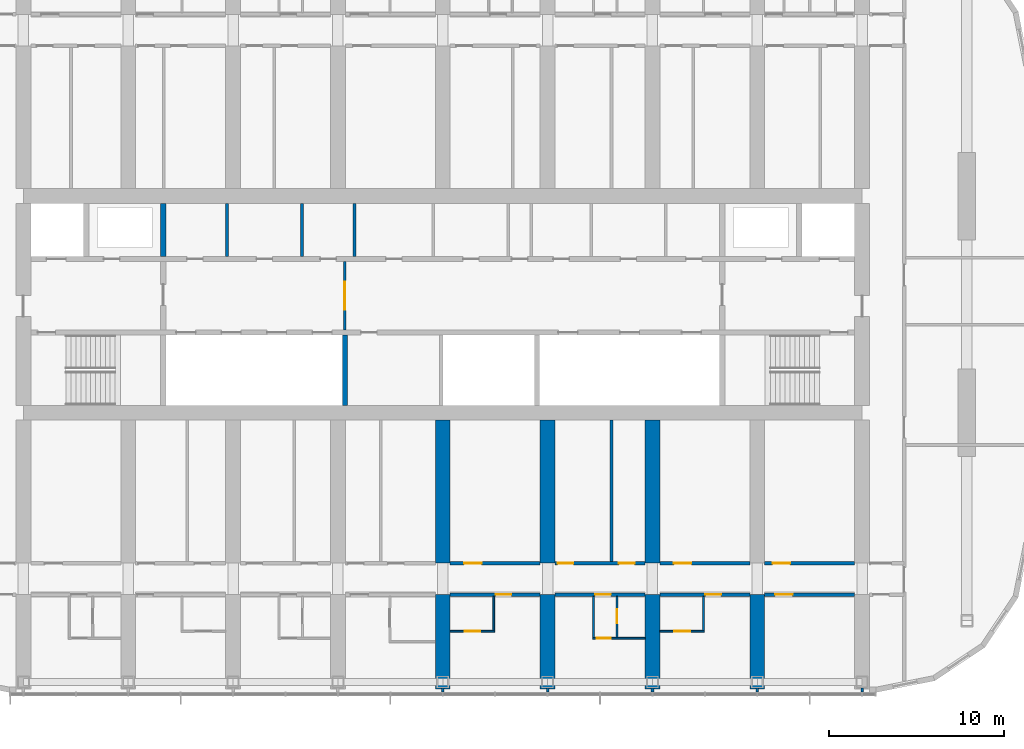
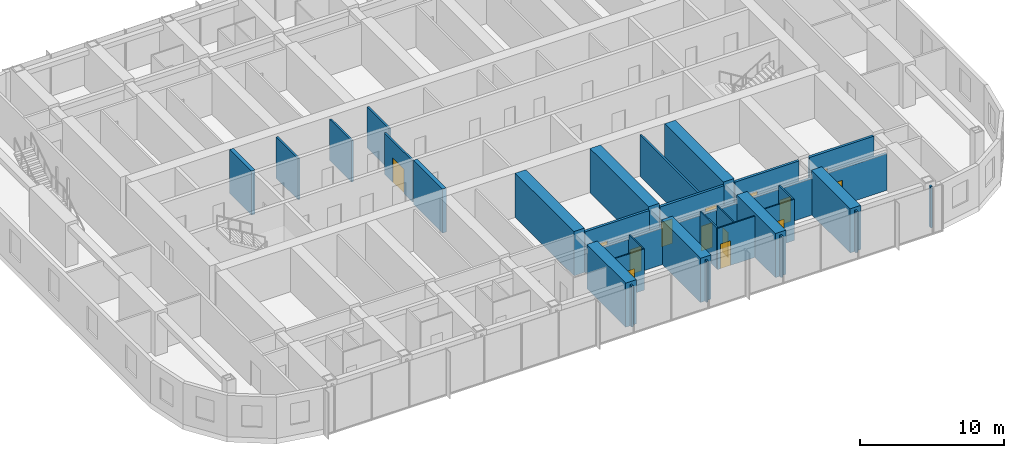
# One storey, part 16 of 29: 34 walls, 14 doors, 14 openings.
"""IFC4 building model written with IfcOpenShell, lengths in metres."""

from ifc_helpers import new_model, si_unit, direction, frame, frame_2d, origin, place, context, subcontext, project, spatial, polyline, rectangle, outline, extrude, material, layer, layer_set, type_object, element, fill, save


model = new_model("IFC4")

# Units and contexts
model_context = context("Model", 3, precision=1e-05, world=origin(), true_north=direction((0.0, 1.0)))
body_context = subcontext(model_context, "Body", "Model", "MODEL_VIEW")
ifc_project = project(units=[si_unit("LENGTHUNIT", "METRE"), si_unit("AREAUNIT", "SQUARE_METRE"), si_unit("VOLUMEUNIT", "CUBIC_METRE"), si_unit("PLANEANGLEUNIT", "RADIAN"), si_unit("MASSUNIT", "GRAM", prefix="KILO")], contexts=[model_context])

# Site, building, storey
site_placement = place(None, origin())
site = spatial("IfcSite", under=ifc_project, at=site_placement, CompositionType="ELEMENT")
building_placement = place(site_placement, origin())
building = spatial("IfcBuilding", under=site, at=building_placement, Name="Orbita Commons", CompositionType="ELEMENT")
storey_placement = place(building_placement, frame((0.0, 0.0, 163.60009765625)))
storey = spatial("IfcBuildingStorey", under=building, at=storey_placement, Name="L40", CompositionType="ELEMENT", Elevation=163.60009765625)

# Walls
ifc_material_1 = material(Name="Concrete C50/60", Category="concrete")
ifc_layer_1 = layer(ifc_material_1, 0.300048828125)
ifc_layer_set_1 = layer_set([ifc_layer_1], Name="Concrete C50/60")
wall_type_1 = type_object("IfcWallType", Name="Core inner wall 300 C50/60", PredefinedType="SHEAR", material=ifc_layer_set_1)
wall_1_placement = place(storey_placement, frame((26.0, 34.75, 0.0), z_axis=(0.0, 0.0, 1.0), x_axis=(0.0, 1.0, 0.0)))
element("IfcWall", 1, at=wall_1_placement, inside=storey, type_object=wall_type_1, Name="Riser wall west L40", PredefinedType="SHEAR", context=body_context, shape_type="SweptSolid", body=[
    extrude(rectangle(XDim=3.02490234375, YDim=0.300048828125, at=frame_2d((1.512451171875, 0.0))), origin(), (0.0, 0.0, 1.0), 3.75),
])
wall_2_placement = place(storey_placement, frame((36.39990234375, 26.22509765625, 0.0), z_axis=(0.0, 0.0, 1.0), x_axis=(0.0, 1.0, 0.0)))
element("IfcWall", 2, at=wall_2_placement, inside=storey, type_object=wall_type_1, Name="Hoistway division wall L40", PredefinedType="SHEAR", context=body_context, shape_type="SweptSolid", body=[
    extrude(rectangle(XDim=4.02490234375, YDim=0.300048828125, at=frame_2d((2.012451171875, 0.0))), origin(), (0.0, 0.0, 1.0), 3.75),
])

# Wall, opening, door
ifc_material_2 = material(Name="Concrete blockwork", Category="masonry")
ifc_layer_2 = layer(ifc_material_2, 0.14990234375)
ifc_layer_set_2 = layer_set([ifc_layer_2], Name="Concrete blockwork")
wall_type_2 = type_object("IfcWallType", Name="Core partition 150 blockwork", PredefinedType="SOLIDWALL", material=ifc_layer_set_2)
wall_3_placement = place(storey_placement, frame((36.39990234375, 30.550048828125, 0.0), z_axis=(0.0, 0.0, 1.0), x_axis=(0.0, 1.0, 0.0)))
wall_3 = element("IfcWall", 3, at=wall_3_placement, inside=storey, type_object=wall_type_2, Name="Core partition 150 blockwork L40", PredefinedType="SOLIDWALL", context=body_context, shape_type="SweptSolid", body=[
    extrude(rectangle(XDim=3.89990234375, YDim=0.14990234375, at=frame_2d((1.949951171875, 0.0))), origin(), (0.0, 0.0, 1.0), 3.5),
])
opening_1_placement = place(wall_3_placement, frame((1.14990234375, 0.0, 0.0)))
opening_1 = element("IfcOpeningElement", 4, at=opening_1_placement, cuts=wall_3, Name="Opening D10", PredefinedType="OPENING", context=body_context, shape_type="SweptSolid", body=[
    extrude(rectangle(XDim=1.60009765625, YDim=2.10009765625, at=frame_2d((0.800048828125, 1.050048828125))), frame((0.0, 0.0849609375, 0.0), z_axis=(0.0, -1.0, 0.0), x_axis=(1.0, 0.0, 0.0)), (0.0, 0.0, 1.0), 0.169921875),
])
ifc_material_3 = material(Name="Steel-faced fire door leaf", Category="steel")
door_type_1 = type_object("IfcDoorType", Name="Double corridor door 20 min 1600x2100", OperationType="DOUBLE_DOOR_SINGLE_SWING", PredefinedType="DOOR", material=ifc_material_3)
door_1_placement = place(opening_1_placement, origin())
door_1 = element("IfcDoor", 5, at=door_1_placement, inside=storey, type_object=door_type_1, Name="Lift lobby screen doors", OperationType="DOUBLE_DOOR_SINGLE_SWING", OverallHeight=2.10009765625, OverallWidth=1.60009765625, PredefinedType="DOOR", context=body_context, shape_type="SweptSolid", body=[
    extrude(rectangle(XDim=1.60009765625, YDim=2.10009765625, at=frame_2d((0.800048828125, 1.050048828125))), frame((0.0, 0.02490234375, 0.0), z_axis=(0.0, -1.0, 0.0), x_axis=(1.0, 0.0, 0.0)), (0.0, 0.0, 1.0), 0.050048828125),
])
fill(opening_1, door_1)

# Walls
for number, where, z_axis, x_axis, name in (
    (6, (29.65087890625, 34.75, 0.0), (0.0, 0.0, 1.0), (0.0, 1.0, 0.0), "Core partition 150 blockwork L40"),
    (7, (33.9462890625, 34.75, 0.0), (0.0, 0.0, 1.0), (0.0, 1.0, 0.0), "Core partition 150 blockwork L40"),
    (8, (36.9462890625, 34.75, 0.0), (0.0, 0.0, 1.0), (0.0, 1.0, 0.0), "Core partition 150 blockwork L40"),
):
    element("IfcWall", number, at=place(storey_placement, frame(where, z_axis=z_axis, x_axis=x_axis)), inside=storey, type_object=wall_type_2, Name=name, PredefinedType="SOLIDWALL", context=body_context, shape_type="SweptSolid", body=[
        extrude(rectangle(XDim=3.02490234375, YDim=0.14990234375, at=frame_2d((1.512451171875, 0.0))), origin(), (0.0, 0.0, 1.0), 3.5),
    ])

# Wall, opening, door
ifc_material_4 = material(Name="Concrete blockwork", Category="masonry")
ifc_layer_3 = layer(ifc_material_4, 0.199951171875)
ifc_layer_set_3 = layer_set([ifc_layer_3], Name="Concrete blockwork")
wall_type_3 = type_object("IfcWallType", Name="Corridor wall 200 blockwork", PredefinedType="SOLIDWALL", material=ifc_layer_set_3)
wall_4_placement = place(storey_placement, frame((42.425048828125, 15.39990234375, 0.0), z_axis=(0.0, 0.0, 1.0), x_axis=(1.0, 0.0, 0.0)))
wall_4 = element("IfcWall", 9, at=wall_4_placement, inside=storey, type_object=wall_type_3, Name="Corridor wall 200 blockwork L40", PredefinedType="SOLIDWALL", context=body_context, shape_type="SweptSolid", body=[
    extrude(outline(polyline([(0.0, 0.0), (5.14990234375, 0.0), (5.14990234375, 3.099853515625), (0.0, 3.099853515625), (0.0, 0.0)])), frame((0.0, 0.10009765625, 0.0), z_axis=(0.0, -1.0, 0.0), x_axis=(1.0, 0.0, 0.0)), (0.0, 0.0, 1.0), 0.199951171875),
])
opening_2_placement = place(wall_4_placement, frame((2.60009765625, 0.0, 0.0)))
opening_2 = element("IfcOpeningElement", 10, at=opening_2_placement, cuts=wall_4, Name="Opening D11", PredefinedType="OPENING", context=body_context, shape_type="SweptSolid", body=[
    extrude(rectangle(XDim=0.89990234375, YDim=2.10009765625, at=frame_2d((0.449951171875, 1.050048828125))), frame((0.0, 0.10986328125, 0.0), z_axis=(0.0, -1.0, 0.0), x_axis=(1.0, 0.0, 0.0)), (0.0, 0.0, 1.0), 0.219970703125),
])
ifc_material_5 = material(Name="Steel-faced fire door leaf", Category="steel")
door_type_2 = type_object("IfcDoorType", Name="Corridor door 20 min 900x2100", OperationType="SINGLE_SWING_LEFT", PredefinedType="DOOR", material=ifc_material_5)
door_2_placement = place(opening_2_placement, origin())
door_2 = element("IfcDoor", 11, at=door_2_placement, inside=storey, type_object=door_type_2, Name="Twin room L40-S08 door", OperationType="SINGLE_SWING_LEFT", OverallHeight=2.10009765625, OverallWidth=0.89990234375, PredefinedType="DOOR", context=body_context, shape_type="SweptSolid", body=[
    extrude(rectangle(XDim=0.89990234375, YDim=2.10009765625, at=frame_2d((0.449951171875, 1.050048828125))), frame((0.0, 0.02490234375, 0.0), z_axis=(0.0, -1.0, 0.0), x_axis=(1.0, 0.0, 0.0)), (0.0, 0.0, 1.0), 0.050048828125),
])
fill(opening_2, door_2)

wall_5_placement = place(storey_placement, frame((48.425048828125, 15.39990234375, 0.0), z_axis=(0.0, 0.0, 1.0), x_axis=(1.0, 0.0, 0.0)))
wall_5 = element("IfcWall", 12, at=wall_5_placement, inside=storey, type_object=wall_type_3, Name="Corridor wall 200 blockwork L40", PredefinedType="SOLIDWALL", context=body_context, shape_type="SweptSolid", body=[
    extrude(outline(polyline([(0.0, 0.0), (5.14990234375, 0.0), (5.14990234375, 3.099853515625), (0.0, 3.099853515625), (0.0, 0.0)])), frame((0.0, 0.10009765625, 0.0), z_axis=(0.0, -1.0, 0.0), x_axis=(1.0, 0.0, 0.0)), (0.0, 0.0, 1.0), 0.199951171875),
])
opening_3_placement = place(wall_5_placement, frame((2.300048828125, 0.0, 0.0)))
opening_3 = element("IfcOpeningElement", 13, at=opening_3_placement, cuts=wall_5, Name="Opening D11", PredefinedType="OPENING", context=body_context, shape_type="SweptSolid", body=[
    extrude(rectangle(XDim=0.89990234375, YDim=2.10009765625, at=frame_2d((0.449951171875, 1.050048828125))), frame((0.0, 0.10986328125, 0.0), z_axis=(0.0, -1.0, 0.0), x_axis=(1.0, 0.0, 0.0)), (0.0, 0.0, 1.0), 0.219970703125),
])
door_3_placement = place(opening_3_placement, origin())
door_3 = element("IfcDoor", 14, at=door_3_placement, inside=storey, type_object=door_type_2, Name="Studio flat L40-S10 entrance door", OperationType="SINGLE_SWING_LEFT", OverallHeight=2.10009765625, OverallWidth=0.89990234375, PredefinedType="DOOR", context=body_context, shape_type="SweptSolid", body=[
    extrude(rectangle(XDim=0.89990234375, YDim=2.10009765625, at=frame_2d((0.449951171875, 1.050048828125))), frame((0.0, 0.02490234375, 0.0), z_axis=(0.0, -1.0, 0.0), x_axis=(1.0, 0.0, 0.0)), (0.0, 0.0, 1.0), 0.050048828125),
])
fill(opening_3, door_3)

wall_6_placement = place(storey_placement, frame((54.425048828125, 15.39990234375, 0.0), z_axis=(0.0, 0.0, 1.0), x_axis=(1.0, 0.0, 0.0)))
wall_6 = element("IfcWall", 15, at=wall_6_placement, inside=storey, type_object=wall_type_3, Name="Corridor wall 200 blockwork L40", PredefinedType="SOLIDWALL", context=body_context, shape_type="SweptSolid", body=[
    extrude(outline(polyline([(0.0, 0.0), (5.14990234375, 0.0), (5.14990234375, 3.099853515625), (0.0, 3.099853515625), (0.0, 0.0)])), frame((0.0, 0.10009765625, 0.0), z_axis=(0.0, -1.0, 0.0), x_axis=(1.0, 0.0, 0.0)), (0.0, 0.0, 1.0), 0.199951171875),
])
opening_4_placement = place(wall_6_placement, frame((2.60009765625, 0.0, 0.0)))
opening_4 = element("IfcOpeningElement", 16, at=opening_4_placement, cuts=wall_6, Name="Opening D11", PredefinedType="OPENING", context=body_context, shape_type="SweptSolid", body=[
    extrude(rectangle(XDim=0.89990234375, YDim=2.10009765625, at=frame_2d((0.449951171875, 1.050048828125))), frame((0.0, 0.10986328125, 0.0), z_axis=(0.0, -1.0, 0.0), x_axis=(1.0, 0.0, 0.0)), (0.0, 0.0, 1.0), 0.219970703125),
])
door_4_placement = place(opening_4_placement, origin())
door_4 = element("IfcDoor", 17, at=door_4_placement, inside=storey, type_object=door_type_2, Name="Twin room L40-S12 door", OperationType="SINGLE_SWING_LEFT", OverallHeight=2.10009765625, OverallWidth=0.89990234375, PredefinedType="DOOR", context=body_context, shape_type="SweptSolid", body=[
    extrude(rectangle(XDim=0.89990234375, YDim=2.10009765625, at=frame_2d((0.449951171875, 1.050048828125))), frame((0.0, 0.02490234375, 0.0), z_axis=(0.0, -1.0, 0.0), x_axis=(1.0, 0.0, 0.0)), (0.0, 0.0, 1.0), 0.050048828125),
])
fill(opening_4, door_4)

wall_7_placement = place(storey_placement, frame((60.425048828125, 15.39990234375, 0.0), z_axis=(0.0, 0.0, 1.0), x_axis=(1.0, 0.0, 0.0)))
wall_7 = element("IfcWall", 18, at=wall_7_placement, inside=storey, type_object=wall_type_3, Name="Corridor wall 200 blockwork L40", PredefinedType="SOLIDWALL", context=body_context, shape_type="SweptSolid", body=[
    extrude(outline(polyline([(0.0, 0.0), (5.14990234375, 0.0), (5.14990234375, 3.099853515625), (0.0, 3.099853515625), (0.0, 0.0)])), frame((0.0, 0.10009765625, 0.0), z_axis=(0.0, -1.0, 0.0), x_axis=(1.0, 0.0, 0.0)), (0.0, 0.0, 1.0), 0.199951171875),
])
opening_5_placement = place(wall_7_placement, frame((0.60009765625, 0.0, 0.0)))
opening_5 = element("IfcOpeningElement", 19, at=opening_5_placement, cuts=wall_7, Name="Opening D06", PredefinedType="OPENING", context=body_context, shape_type="SweptSolid", body=[
    extrude(rectangle(XDim=1.0, YDim=2.10009765625, at=frame_2d((0.5, 1.050048828125))), frame((0.0, 0.10986328125, 0.0), z_axis=(0.0, -1.0, 0.0), x_axis=(1.0, 0.0, 0.0)), (0.0, 0.0, 1.0), 0.219970703125),
])
ifc_material_6 = material(Name="Steel-faced fire door leaf", Category="steel")
door_type_3 = type_object("IfcDoorType", Name="Corridor door 20 min 1000x2100", OperationType="SINGLE_SWING_LEFT", PredefinedType="DOOR", material=ifc_material_6)
door_5_placement = place(opening_5_placement, origin())
door_5 = element("IfcDoor", 20, at=door_5_placement, inside=storey, type_object=door_type_3, Name="Cluster kitchen-diner L40-S14 door", OperationType="SINGLE_SWING_LEFT", OverallHeight=2.10009765625, OverallWidth=1.0, PredefinedType="DOOR", context=body_context, shape_type="SweptSolid", body=[
    extrude(rectangle(XDim=1.0, YDim=2.10009765625, at=frame_2d((0.5, 1.050048828125))), frame((0.0, 0.02490234375, 0.0), z_axis=(0.0, -1.0, 0.0), x_axis=(1.0, 0.0, 0.0)), (0.0, 0.0, 1.0), 0.050048828125),
])
fill(opening_5, door_5)

ifc_material_7 = material(Name="Hollow concrete block 200", Category="concrete")
ifc_layer_4 = layer(ifc_material_7, 0.199951171875)
ifc_layer_set_4 = layer_set([ifc_layer_4], Name="Hollow concrete block 200")
wall_type_4 = type_object("IfcWallType", Name="Corridor wall 200 hollow concrete block", PredefinedType="SOLIDWALL", material=ifc_layer_set_4)
wall_8_placement = place(storey_placement, frame((42.425048828125, 17.199951171875, 0.0), z_axis=(0.0, 0.0, 1.0), x_axis=(1.0, 0.0, 0.0)))
wall_8 = element("IfcWall", 21, at=wall_8_placement, inside=storey, type_object=wall_type_4, Name="Corridor wall 200 hollow concrete block L40", PredefinedType="SOLIDWALL", context=body_context, shape_type="SweptSolid", body=[
    extrude(rectangle(XDim=5.14990234375, YDim=0.199951171875, at=frame_2d((2.574951171875, 0.0))), origin(), (0.0, 0.0, 1.0), 3.5),
])
opening_6_placement = place(wall_8_placement, frame((0.800048828125, 0.0, 0.0)))
opening_6 = element("IfcOpeningElement", 22, at=opening_6_placement, cuts=wall_8, Name="Opening D06", PredefinedType="OPENING", context=body_context, shape_type="SweptSolid", body=[
    extrude(rectangle(XDim=1.0, YDim=2.10009765625, at=frame_2d((0.5, 1.050048828125))), frame((0.0, 0.10986328125, 0.0), z_axis=(0.0, -1.0, 0.0), x_axis=(1.0, 0.0, 0.0)), (0.0, 0.0, 1.0), 0.219970703125),
])
door_6_placement = place(opening_6_placement, origin())
door_6 = element("IfcDoor", 23, at=door_6_placement, inside=storey, type_object=door_type_3, Name="Ventilation plant room south L40-BDS42 door", OperationType="SINGLE_SWING_LEFT", OverallHeight=2.10009765625, OverallWidth=1.0, PredefinedType="DOOR", context=body_context, shape_type="SweptSolid", body=[
    extrude(rectangle(XDim=1.0, YDim=2.10009765625, at=frame_2d((0.5, 1.050048828125))), frame((0.0, 0.02490234375, 0.0), z_axis=(0.0, -1.0, 0.0), x_axis=(1.0, 0.0, 0.0)), (0.0, 0.0, 1.0), 0.050048828125),
])
fill(opening_6, door_6)

# Wall, openings, doors
wall_9_placement = place(storey_placement, frame((48.425048828125, 17.199951171875, 0.0), z_axis=(0.0, 0.0, 1.0), x_axis=(1.0, 0.0, 0.0)))
wall_9 = element("IfcWall", 24, at=wall_9_placement, inside=storey, type_object=wall_type_4, Name="Corridor wall 200 hollow concrete block L40", PredefinedType="SOLIDWALL", context=body_context, shape_type="SweptSolid", body=[
    extrude(rectangle(XDim=5.14990234375, YDim=0.199951171875, at=frame_2d((2.574951171875, 0.0))), origin(), (0.0, 0.0, 1.0), 3.5),
])
opening_7_placement = place(wall_9_placement, frame((0.14990234375, 0.0, 0.0)))
opening_7 = element("IfcOpeningElement", 25, at=opening_7_placement, cuts=wall_9, Name="Opening D11", PredefinedType="OPENING", context=body_context, shape_type="SweptSolid", body=[
    extrude(rectangle(XDim=0.89990234375, YDim=2.10009765625, at=frame_2d((0.449951171875, 1.050048828125))), frame((0.0, 0.10986328125, 0.0), z_axis=(0.0, -1.0, 0.0), x_axis=(1.0, 0.0, 0.0)), (0.0, 0.0, 1.0), 0.219970703125),
])
opening_8_placement = place(wall_9_placement, frame((3.655029296875, 0.0, 0.0)))
opening_8 = element("IfcOpeningElement", 26, at=opening_8_placement, cuts=wall_9, Name="Opening D11", PredefinedType="OPENING", context=body_context, shape_type="SweptSolid", body=[
    extrude(rectangle(XDim=0.89990234375, YDim=2.10009765625, at=frame_2d((0.449951171875, 1.050048828125))), frame((0.0, 0.10986328125, 0.0), z_axis=(0.0, -1.0, 0.0), x_axis=(1.0, 0.0, 0.0)), (0.0, 0.0, 1.0), 0.219970703125),
])
door_7_placement = place(opening_7_placement, origin())
door_7 = element("IfcDoor", 27, at=door_7_placement, inside=storey, type_object=door_type_2, Name="Electrical and data room L40-BDS48 door", OperationType="SINGLE_SWING_LEFT", OverallHeight=2.10009765625, OverallWidth=0.89990234375, PredefinedType="DOOR", context=body_context, shape_type="SweptSolid", body=[
    extrude(rectangle(XDim=0.89990234375, YDim=2.10009765625, at=frame_2d((0.449951171875, 1.050048828125))), frame((0.0, 0.02490234375, 0.0), z_axis=(0.0, -1.0, 0.0), x_axis=(1.0, 0.0, 0.0)), (0.0, 0.0, 1.0), 0.050048828125),
])
fill(opening_7, door_7)
door_8_placement = place(opening_8_placement, origin())
door_8 = element("IfcDoor", 28, at=door_8_placement, inside=storey, type_object=door_type_2, Name="Water heater cupboard L40-BDS48n door", OperationType="SINGLE_SWING_LEFT", OverallHeight=2.10009765625, OverallWidth=0.89990234375, PredefinedType="DOOR", context=body_context, shape_type="SweptSolid", body=[
    extrude(rectangle(XDim=0.89990234375, YDim=2.10009765625, at=frame_2d((0.449951171875, 1.050048828125))), frame((0.0, 0.02490234375, 0.0), z_axis=(0.0, -1.0, 0.0), x_axis=(1.0, 0.0, 0.0)), (0.0, 0.0, 1.0), 0.050048828125),
])
fill(opening_8, door_8)

# Wall, opening, door
wall_10_placement = place(storey_placement, frame((54.425048828125, 17.199951171875, 0.0), z_axis=(0.0, 0.0, 1.0), x_axis=(1.0, 0.0, 0.0)))
wall_10 = element("IfcWall", 29, at=wall_10_placement, inside=storey, type_object=wall_type_4, Name="Corridor wall 200 hollow concrete block L40", PredefinedType="SOLIDWALL", context=body_context, shape_type="SweptSolid", body=[
    extrude(rectangle(XDim=5.14990234375, YDim=0.199951171875, at=frame_2d((2.574951171875, 0.0))), origin(), (0.0, 0.0, 1.0), 3.5),
])
opening_9_placement = place(wall_10_placement, frame((0.800048828125, 0.0, 0.0)))
opening_9 = element("IfcOpeningElement", 30, at=opening_9_placement, cuts=wall_10, Name="Opening D06", PredefinedType="OPENING", context=body_context, shape_type="SweptSolid", body=[
    extrude(rectangle(XDim=1.0, YDim=2.10009765625, at=frame_2d((0.5, 1.050048828125))), frame((0.0, 0.10986328125, 0.0), z_axis=(0.0, -1.0, 0.0), x_axis=(1.0, 0.0, 0.0)), (0.0, 0.0, 1.0), 0.219970703125),
])
door_9_placement = place(opening_9_placement, origin())
door_9 = element("IfcDoor", 31, at=door_9_placement, inside=storey, type_object=door_type_3, Name="Refuse and recycling room L40-BDS54 door", OperationType="SINGLE_SWING_LEFT", OverallHeight=2.10009765625, OverallWidth=1.0, PredefinedType="DOOR", context=body_context, shape_type="SweptSolid", body=[
    extrude(rectangle(XDim=1.0, YDim=2.10009765625, at=frame_2d((0.5, 1.050048828125))), frame((0.0, 0.02490234375, 0.0), z_axis=(0.0, -1.0, 0.0), x_axis=(1.0, 0.0, 0.0)), (0.0, 0.0, 1.0), 0.050048828125),
])
fill(opening_9, door_9)

wall_11_placement = place(storey_placement, frame((60.425048828125, 17.199951171875, 0.0), z_axis=(0.0, 0.0, 1.0), x_axis=(1.0, 0.0, 0.0)))
wall_11 = element("IfcWall", 32, at=wall_11_placement, inside=storey, type_object=wall_type_4, Name="Corridor wall 200 hollow concrete block L40", PredefinedType="SOLIDWALL", context=body_context, shape_type="SweptSolid", body=[
    extrude(rectangle(XDim=5.14990234375, YDim=0.199951171875, at=frame_2d((2.574951171875, 0.0))), origin(), (0.0, 0.0, 1.0), 3.5),
])
opening_10_placement = place(wall_11_placement, frame((0.449951171875, 0.0, 0.0)))
opening_10 = element("IfcOpeningElement", 33, at=opening_10_placement, cuts=wall_11, Name="Opening D06", PredefinedType="OPENING", context=body_context, shape_type="SweptSolid", body=[
    extrude(rectangle(XDim=1.0, YDim=2.10009765625, at=frame_2d((0.5, 1.050048828125))), frame((0.0, 0.10986328125, 0.0), z_axis=(0.0, -1.0, 0.0), x_axis=(1.0, 0.0, 0.0)), (0.0, 0.0, 1.0), 0.219970703125),
])
door_10_placement = place(opening_10_placement, origin())
door_10 = element("IfcDoor", 34, at=door_10_placement, inside=storey, type_object=door_type_3, Name="Cleaners store L40-BDS60 door", OperationType="SINGLE_SWING_LEFT", OverallHeight=2.10009765625, OverallWidth=1.0, PredefinedType="DOOR", context=body_context, shape_type="SweptSolid", body=[
    extrude(rectangle(XDim=1.0, YDim=2.10009765625, at=frame_2d((0.5, 1.050048828125))), frame((0.0, 0.02490234375, 0.0), z_axis=(0.0, -1.0, 0.0), x_axis=(1.0, 0.0, 0.0)), (0.0, 0.0, 1.0), 0.050048828125),
])
fill(opening_10, door_10)

# Walls
ifc_material_8 = material(Name="Concrete C50/60", Category="concrete")
ifc_layer_5 = layer(ifc_material_8, 0.85009765625)
ifc_layer_set_5 = layer_set([ifc_layer_5], Name="Concrete C50/60")
wall_type_5 = type_object("IfcWallType", Name="Cross wall 850 C50/60", PredefinedType="SHEAR", material=ifc_layer_set_5)
wall_12_placement = place(storey_placement, frame((42.0, 10.0, 0.0), z_axis=(0.0, 0.0, 1.0), x_axis=(0.0, 1.0, 0.0)))
element("IfcWall", 35, at=wall_12_placement, inside=storey, type_object=wall_type_5, Name="Cross wall 8 south outer L40", PredefinedType="SHEAR", context=body_context, shape_type="SweptSolid", body=[
    extrude(rectangle(XDim=5.39990234375, YDim=0.85009765625, at=frame_2d((2.699951171875, 0.0))), origin(), (0.0, 0.0, 1.0), 3.75),
])
wall_13_placement = place(storey_placement, frame((42.0, 17.199951171875, 0.0), z_axis=(0.0, 0.0, 1.0), x_axis=(0.0, 1.0, 0.0)))
element("IfcWall", 36, at=wall_13_placement, inside=storey, type_object=wall_type_5, Name="Cross wall 8 south inner L40", PredefinedType="SHEAR", context=body_context, shape_type="SweptSolid", body=[
    extrude(rectangle(XDim=8.175048828125, YDim=0.85009765625, at=frame_2d((4.08740234375, 0.0))), origin(), (0.0, 0.0, 1.0), 3.75),
])
wall_14_placement = place(storey_placement, frame((48.0, 10.0, 0.0), z_axis=(0.0, 0.0, 1.0), x_axis=(0.0, 1.0, 0.0)))
element("IfcWall", 37, at=wall_14_placement, inside=storey, type_object=wall_type_5, Name="Cross wall 9 south outer L40", PredefinedType="SHEAR", context=body_context, shape_type="SweptSolid", body=[
    extrude(rectangle(XDim=5.39990234375, YDim=0.85009765625, at=frame_2d((2.699951171875, 0.0))), origin(), (0.0, 0.0, 1.0), 3.75),
])
wall_15_placement = place(storey_placement, frame((48.0, 17.199951171875, 0.0), z_axis=(0.0, 0.0, 1.0), x_axis=(0.0, 1.0, 0.0)))
element("IfcWall", 38, at=wall_15_placement, inside=storey, type_object=wall_type_5, Name="Cross wall 9 south inner L40", PredefinedType="SHEAR", context=body_context, shape_type="SweptSolid", body=[
    extrude(rectangle(XDim=8.175048828125, YDim=0.85009765625, at=frame_2d((4.08740234375, 0.0))), origin(), (0.0, 0.0, 1.0), 3.75),
])
wall_16_placement = place(storey_placement, frame((54.0, 10.0, 0.0), z_axis=(0.0, 0.0, 1.0), x_axis=(0.0, 1.0, 0.0)))
element("IfcWall", 39, at=wall_16_placement, inside=storey, type_object=wall_type_5, Name="Cross wall 10 south outer L40", PredefinedType="SHEAR", context=body_context, shape_type="SweptSolid", body=[
    extrude(rectangle(XDim=5.39990234375, YDim=0.85009765625, at=frame_2d((2.699951171875, 0.0))), origin(), (0.0, 0.0, 1.0), 3.75),
])
wall_17_placement = place(storey_placement, frame((54.0, 17.199951171875, 0.0), z_axis=(0.0, 0.0, 1.0), x_axis=(0.0, 1.0, 0.0)))
element("IfcWall", 40, at=wall_17_placement, inside=storey, type_object=wall_type_5, Name="Cross wall 10 south inner L40", PredefinedType="SHEAR", context=body_context, shape_type="SweptSolid", body=[
    extrude(rectangle(XDim=8.175048828125, YDim=0.85009765625, at=frame_2d((4.08740234375, 0.0))), origin(), (0.0, 0.0, 1.0), 3.75),
])
wall_18_placement = place(storey_placement, frame((60.0, 10.0, 0.0), z_axis=(0.0, 0.0, 1.0), x_axis=(0.0, 1.0, 0.0)))
element("IfcWall", 41, at=wall_18_placement, inside=storey, type_object=wall_type_5, Name="Cross wall 11 south outer L40", PredefinedType="SHEAR", context=body_context, shape_type="SweptSolid", body=[
    extrude(rectangle(XDim=5.39990234375, YDim=0.85009765625, at=frame_2d((2.699951171875, 0.0))), origin(), (0.0, 0.0, 1.0), 3.75),
])

# Wall, opening, door
ifc_material_9 = material(Name="Moisture-resistant plasterboard on steel studs", Category="steel")
ifc_layer_6 = layer(ifc_material_9, 0.10009765625)
ifc_layer_set_6 = layer_set([ifc_layer_6], Name="Moisture-resistant plasterboard on steel studs")
wall_type_6 = type_object("IfcWallType", Name="En-suite partition 100", PredefinedType="PARTITIONING", material=ifc_layer_set_6)
wall_19_placement = place(storey_placement, frame((44.97509765625, 13.300048828125, 0.0), z_axis=(0.0, 0.0, 1.0), x_axis=(-1.0, 0.0, 0.0)))
wall_19 = element("IfcWall", 42, at=wall_19_placement, inside=storey, type_object=wall_type_6, Name="En-suite partition 100 L40", PredefinedType="PARTITIONING", context=body_context, shape_type="SweptSolid", body=[
    extrude(rectangle(XDim=2.550048828125, YDim=0.10009765625, at=frame_2d((1.27490234375, 0.0))), origin(), (0.0, 0.0, 1.0), 3.5),
])
opening_11_placement = place(wall_19_placement, frame((0.824951171875, 0.0, 0.0)))
opening_11 = element("IfcOpeningElement", 43, at=opening_11_placement, cuts=wall_19, Name="Opening D09", PredefinedType="OPENING", context=body_context, shape_type="SweptSolid", body=[
    extrude(rectangle(XDim=0.89990234375, YDim=2.10009765625, at=frame_2d((0.449951171875, 1.050048828125))), frame((0.0, 0.06005859375, 0.0), z_axis=(0.0, -1.0, 0.0), x_axis=(1.0, 0.0, 0.0)), (0.0, 0.0, 1.0), 0.1201171875),
])
ifc_material_10 = material(Name="Laminated timber door leaf", Category="wood")
door_type_4 = type_object("IfcDoorType", Name="En-suite door 900x2100", OperationType="SINGLE_SWING_RIGHT", PredefinedType="DOOR", material=ifc_material_10)
door_11_placement = place(opening_11_placement, origin())
door_11 = element("IfcDoor", 44, at=door_11_placement, inside=storey, type_object=door_type_4, Name="En-suite L40-S08 door", OperationType="SINGLE_SWING_RIGHT", OverallHeight=2.10009765625, OverallWidth=0.89990234375, PredefinedType="DOOR", context=body_context, shape_type="SweptSolid", body=[
    extrude(rectangle(XDim=0.89990234375, YDim=2.10009765625, at=frame_2d((0.449951171875, 1.050048828125))), frame((0.0, 0.02490234375, 0.0), z_axis=(0.0, -1.0, 0.0), x_axis=(1.0, 0.0, 0.0)), (0.0, 0.0, 1.0), 0.050048828125),
])
fill(opening_11, door_11)

# Wall
wall_20_placement = place(storey_placement, frame((44.925048828125, 13.35009765625, 0.0), z_axis=(0.0, 0.0, 1.0), x_axis=(0.0, 1.0, 0.0)))
element("IfcWall", 45, at=wall_20_placement, inside=storey, type_object=wall_type_6, Name="En-suite partition 100 L40", PredefinedType="PARTITIONING", context=body_context, shape_type="SweptSolid", body=[
    extrude(outline(polyline([(0.0, 0.0), (1.949951171875, 0.0), (1.949951171875, 3.099853515625), (1.902099609375, 3.099853515625), (1.89990234375, 3.5), (0.0, 3.5), (0.0, 0.0)])), frame((0.0, 0.050048828125, 0.0), z_axis=(0.0, -1.0, 0.0), x_axis=(1.0, 0.0, 0.0)), (0.0, 0.0, 1.0), 0.10009765625),
])

# Wall, opening, door
wall_21_placement = place(storey_placement, frame((53.574951171875, 12.89990234375, 0.0), z_axis=(0.0, 0.0, 1.0), x_axis=(-1.0, 0.0, 0.0)))
wall_21 = element("IfcWall", 46, at=wall_21_placement, inside=storey, type_object=wall_type_6, Name="En-suite partition 100 L40", PredefinedType="PARTITIONING", context=body_context, shape_type="SweptSolid", body=[
    extrude(rectangle(XDim=3.0, YDim=0.10009765625, at=frame_2d((1.5, 0.0))), origin(), (0.0, 0.0, 1.0), 3.5),
])
opening_12_placement = place(wall_21_placement, frame((1.949951171875, 0.0, 0.0)))
opening_12 = element("IfcOpeningElement", 47, at=opening_12_placement, cuts=wall_21, Name="Opening D16", PredefinedType="OPENING", context=body_context, shape_type="SweptSolid", body=[
    extrude(rectangle(XDim=0.800048828125, YDim=2.10009765625, at=frame_2d((0.39990234375, 1.050048828125))), frame((0.0, 0.06005859375, 0.0), z_axis=(0.0, -1.0, 0.0), x_axis=(1.0, 0.0, 0.0)), (0.0, 0.0, 1.0), 0.1201171875),
])
ifc_material_11 = material(Name="Laminated timber door leaf", Category="wood")
door_type_5 = type_object("IfcDoorType", Name="En-suite door 800x2100", OperationType="SINGLE_SWING_RIGHT", PredefinedType="DOOR", material=ifc_material_11)
door_12_placement = place(opening_12_placement, origin())
door_12 = element("IfcDoor", 48, at=door_12_placement, inside=storey, type_object=door_type_5, Name="Studio flat L40-S10 door", OperationType="SINGLE_SWING_RIGHT", OverallHeight=2.10009765625, OverallWidth=0.800048828125, PredefinedType="DOOR", context=body_context, shape_type="SweptSolid", body=[
    extrude(rectangle(XDim=0.800048828125, YDim=2.10009765625, at=frame_2d((0.39990234375, 1.050048828125))), frame((0.0, 0.02490234375, 0.0), z_axis=(0.0, -1.0, 0.0), x_axis=(1.0, 0.0, 0.0)), (0.0, 0.0, 1.0), 0.050048828125),
])
fill(opening_12, door_12)

# Wall
wall_22_placement = place(storey_placement, frame((50.625, 12.949951171875, 0.0), z_axis=(0.0, 0.0, 1.0), x_axis=(0.0, 1.0, 0.0)))
element("IfcWall", 49, at=wall_22_placement, inside=storey, type_object=wall_type_6, Name="En-suite partition 100 L40", PredefinedType="PARTITIONING", context=body_context, shape_type="SweptSolid", body=[
    extrude(outline(polyline([(0.0, 0.0), (2.35009765625, 0.0), (2.35009765625, 3.099853515625), (2.302001953125, 3.099853515625), (2.300048828125, 3.5), (0.0, 3.5), (0.0, 0.0)])), frame((0.0, 0.050048828125, 0.0), z_axis=(0.0, -1.0, 0.0), x_axis=(1.0, 0.0, 0.0)), (0.0, 0.0, 1.0), 0.10009765625),
])

# Wall, opening, door
wall_23_placement = place(storey_placement, frame((51.97509765625, 12.949951171875, 0.0), z_axis=(0.0, 0.0, 1.0), x_axis=(0.0, 1.0, 0.0)))
wall_23 = element("IfcWall", 50, at=wall_23_placement, inside=storey, type_object=wall_type_6, Name="En-suite partition 100 L40", PredefinedType="PARTITIONING", context=body_context, shape_type="SweptSolid", body=[
    extrude(outline(polyline([(0.0, 0.0), (2.35009765625, 0.0), (2.35009765625, 3.099853515625), (2.302001953125, 3.099853515625), (2.300048828125, 3.5), (0.0, 3.5), (0.0, 0.0)])), frame((0.0, 0.050048828125, 0.0), z_axis=(0.0, -1.0, 0.0), x_axis=(1.0, 0.0, 0.0)), (0.0, 0.0, 1.0), 0.10009765625),
])
opening_13_placement = place(wall_23_placement, frame((0.800048828125, 0.0, 0.0)))
opening_13 = element("IfcOpeningElement", 51, at=opening_13_placement, cuts=wall_23, Name="Opening D16", PredefinedType="OPENING", context=body_context, shape_type="SweptSolid", body=[
    extrude(rectangle(XDim=0.800048828125, YDim=2.10009765625, at=frame_2d((0.39990234375, 1.050048828125))), frame((0.0, 0.06005859375, 0.0), z_axis=(0.0, -1.0, 0.0), x_axis=(1.0, 0.0, 0.0)), (0.0, 0.0, 1.0), 0.1201171875),
])
door_13_placement = place(opening_13_placement, origin())
door_13 = element("IfcDoor", 52, at=door_13_placement, inside=storey, type_object=door_type_5, Name="Studio flat shower room L40-S10 door", OperationType="SINGLE_SWING_RIGHT", OverallHeight=2.10009765625, OverallWidth=0.800048828125, PredefinedType="DOOR", context=body_context, shape_type="SweptSolid", body=[
    extrude(rectangle(XDim=0.800048828125, YDim=2.10009765625, at=frame_2d((0.39990234375, 1.050048828125))), frame((0.0, 0.02490234375, 0.0), z_axis=(0.0, -1.0, 0.0), x_axis=(1.0, 0.0, 0.0)), (0.0, 0.0, 1.0), 0.050048828125),
])
fill(opening_13, door_13)

wall_24_placement = place(storey_placement, frame((56.97509765625, 13.300048828125, 0.0), z_axis=(0.0, 0.0, 1.0), x_axis=(-1.0, 0.0, 0.0)))
wall_24 = element("IfcWall", 53, at=wall_24_placement, inside=storey, type_object=wall_type_6, Name="En-suite partition 100 L40", PredefinedType="PARTITIONING", context=body_context, shape_type="SweptSolid", body=[
    extrude(rectangle(XDim=2.550048828125, YDim=0.10009765625, at=frame_2d((1.27490234375, 0.0))), origin(), (0.0, 0.0, 1.0), 3.5),
])
opening_14_placement = place(wall_24_placement, frame((0.824951171875, 0.0, 0.0)))
opening_14 = element("IfcOpeningElement", 54, at=opening_14_placement, cuts=wall_24, Name="Opening D09", PredefinedType="OPENING", context=body_context, shape_type="SweptSolid", body=[
    extrude(rectangle(XDim=0.89990234375, YDim=2.10009765625, at=frame_2d((0.449951171875, 1.050048828125))), frame((0.0, 0.06005859375, 0.0), z_axis=(0.0, -1.0, 0.0), x_axis=(1.0, 0.0, 0.0)), (0.0, 0.0, 1.0), 0.1201171875),
])
door_14_placement = place(opening_14_placement, origin())
door_14 = element("IfcDoor", 55, at=door_14_placement, inside=storey, type_object=door_type_4, Name="En-suite L40-S12 door", OperationType="SINGLE_SWING_RIGHT", OverallHeight=2.10009765625, OverallWidth=0.89990234375, PredefinedType="DOOR", context=body_context, shape_type="SweptSolid", body=[
    extrude(rectangle(XDim=0.89990234375, YDim=2.10009765625, at=frame_2d((0.449951171875, 1.050048828125))), frame((0.0, 0.02490234375, 0.0), z_axis=(0.0, -1.0, 0.0), x_axis=(1.0, 0.0, 0.0)), (0.0, 0.0, 1.0), 0.050048828125),
])
fill(opening_14, door_14)

# Walls
wall_25_placement = place(storey_placement, frame((56.925048828125, 13.35009765625, 0.0), z_axis=(0.0, 0.0, 1.0), x_axis=(0.0, 1.0, 0.0)))
element("IfcWall", 56, at=wall_25_placement, inside=storey, type_object=wall_type_6, Name="En-suite partition 100 L40", PredefinedType="PARTITIONING", context=body_context, shape_type="SweptSolid", body=[
    extrude(outline(polyline([(0.0, 0.0), (1.949951171875, 0.0), (1.949951171875, 3.099853515625), (1.902099609375, 3.099853515625), (1.89990234375, 3.5), (0.0, 3.5), (0.0, 0.0)])), frame((0.0, 0.050048828125, 0.0), z_axis=(0.0, -1.0, 0.0), x_axis=(1.0, 0.0, 0.0)), (0.0, 0.0, 1.0), 0.10009765625),
])
ifc_material_12 = material(Name="Gypsum plasterboard on steel studs", Category="steel")
ifc_layer_7 = layer(ifc_material_12, 0.14990234375)
ifc_layer_set_7 = layer_set([ifc_layer_7], Name="Gypsum plasterboard on steel studs")
wall_type_7 = type_object("IfcWallType", Name="Partition 150 plasterboard", PredefinedType="PARTITIONING", material=ifc_layer_set_7)
wall_26_placement = place(storey_placement, frame((51.655029296875, 17.300048828125, 0.0), z_axis=(0.0, 0.0, 1.0), x_axis=(0.0, 1.0, 0.0)))
element("IfcWall", 57, at=wall_26_placement, inside=storey, type_object=wall_type_7, Name="Partition 150 plasterboard L40", PredefinedType="PARTITIONING", context=body_context, shape_type="SweptSolid", body=[
    extrude(rectangle(XDim=8.074951171875, YDim=0.14990234375, at=frame_2d((4.03759765625, 0.0))), origin(), (0.0, 0.0, 1.0), 3.5),
])
for number, where, z_axis, x_axis, name in (
    (58, (42.0, 10.050048828125, 0.0), (0.0, 0.0, 1.0), (0.0, -1.0, 0.0), "Partition 150 plasterboard L40"),
    (59, (48.0, 10.050048828125, 0.0), (0.0, 0.0, 1.0), (0.0, -1.0, 0.0), "Partition 150 plasterboard L40"),
    (60, (54.0, 10.050048828125, 0.0), (0.0, 0.0, 1.0), (0.0, -1.0, 0.0), "Partition 150 plasterboard L40"),
    (61, (60.0, 10.050048828125, 0.0), (0.0, 0.0, 1.0), (0.0, -1.0, 0.0), "Partition 150 plasterboard L40"),
    (62, (66.0, 10.050048828125, 0.0), (0.0, 0.0, 1.0), (0.0, -1.0, 0.0), "Partition 150 plasterboard L40"),
):
    element("IfcWall", number, at=place(storey_placement, frame(where, z_axis=z_axis, x_axis=x_axis)), inside=storey, type_object=wall_type_7, Name=name, PredefinedType="PARTITIONING", context=body_context, shape_type="SweptSolid", body=[
        extrude(rectangle(XDim=0.239990234375, YDim=0.14990234375, at=frame_2d((0.1201171875, 0.0))), origin(), (0.0, 0.0, 1.0), 3.5),
    ])

save(model, "model.ifc")
